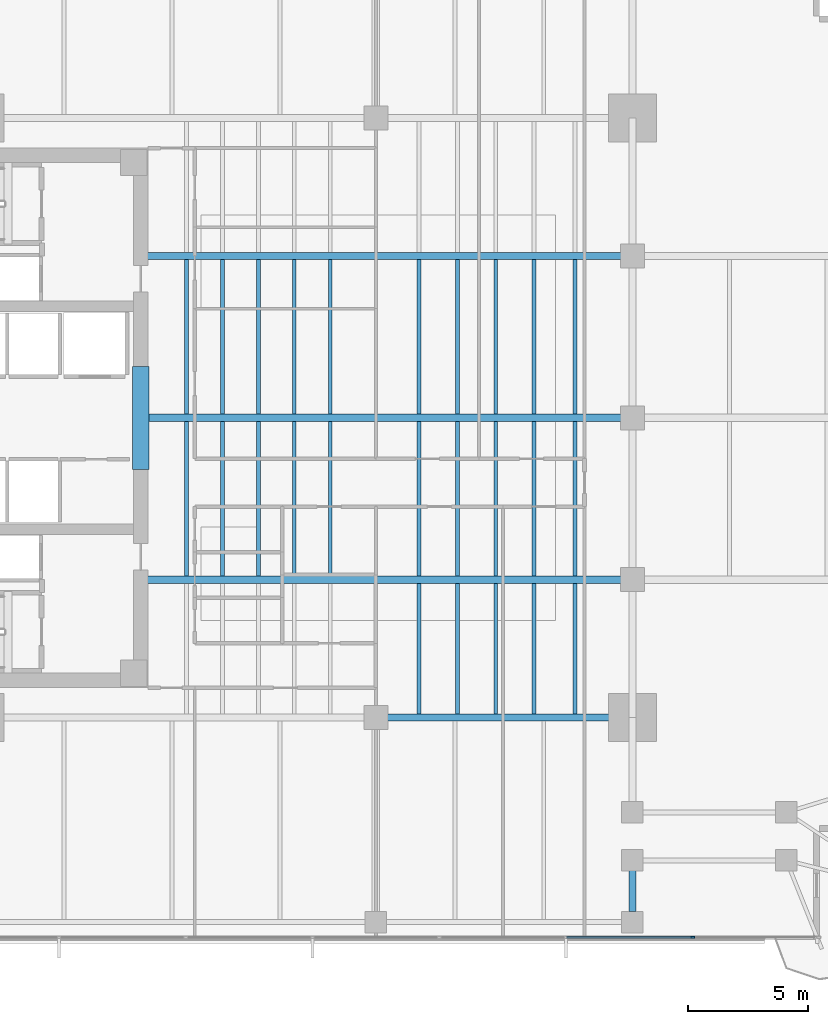
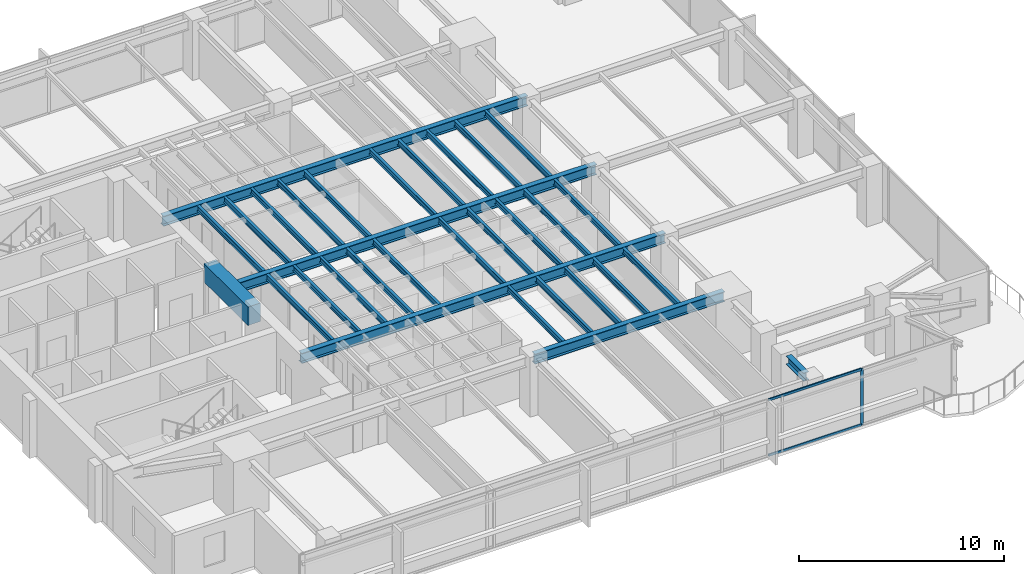
# One storey, part 3 of 14: 31 beams, 3 members, 1 element without a shape of its own.
"""IFC4 building model written with IfcOpenShell, lengths in metres."""

from ifc_helpers import new_model, si_unit, direction, frame, origin, origin_2d, place, context, subcontext, project, spatial, rectangle, i_section, extrude, material, layer, layer_set, material_profile, profile_set, type_object, element, aggregate, save


model = new_model("IFC4")

# Units and contexts
model_context = context("Model", 3, precision=1e-05, world=origin(), true_north=direction((0.0, 1.0)))
body_context = subcontext(model_context, "Body", "Model", "MODEL_VIEW")
ifc_project = project(units=[si_unit("LENGTHUNIT", "METRE"), si_unit("AREAUNIT", "SQUARE_METRE"), si_unit("VOLUMEUNIT", "CUBIC_METRE"), si_unit("PLANEANGLEUNIT", "RADIAN"), si_unit("MASSUNIT", "GRAM", prefix="KILO")], contexts=[model_context])

# Site, building, storey
site_placement = place(None, origin())
site = spatial("IfcSite", under=ifc_project, at=site_placement, CompositionType="ELEMENT")
building_placement = place(site_placement, origin())
building = spatial("IfcBuilding", under=site, at=building_placement, Name="Kinhvarn Gate Tower", CompositionType="ELEMENT")
storey_placement = place(building_placement, frame((0.0, 0.0, 127.10009765625)))
storey = spatial("IfcBuildingStorey", under=building, at=storey_placement, Name="L33", CompositionType="ELEMENT", Elevation=127.10009765625)

# Beam
ifc_material_1 = material(Name="Concrete C70/85", Category="concrete")
ifc_material_profile_1 = material_profile(ifc_material_1, rectangle(XDim=0.699951171875, YDim=1.10009765625, at=origin_2d()), Name="RC 700x1100")
ifc_profile_set_1 = profile_set([ifc_material_profile_1], Name="Concrete C70/85")
beam_type_1 = type_object("IfcBeamType", Name="BM-CB-1100", PredefinedType="LINTEL", material=ifc_profile_set_1)
beam_1_placement = place(storey_placement, frame((17.699951171875, 23.10009765625, 2.81982421875), z_axis=(0.0, 1.0, 0.0), x_axis=(-1.0, 0.0, 0.0)))
element("IfcBeam", 1, at=beam_1_placement, inside=storey, type_object=beam_type_1, Name="Core East Portal Coupling Beam L33", PredefinedType="LINTEL", context=body_context, shape_type="SweptSolid", body=[
    extrude(rectangle(XDim=0.699951171875, YDim=1.10009765625, at=origin_2d()), origin(), (0.0, 0.0, 1.0), 4.2998046875),
])

# Curtain wall, members
ifc_material_2 = material(Name="Anodised aluminium AW-6063", Category="aluminium")
ifc_layer = layer(ifc_material_2, 0.179931640625)
ifc_layer_set = layer_set([ifc_layer], Name="Anodised aluminium AW-6063")
curtain_wall_type = type_object("IfcCurtainWallType", Name="CW-SYS-3", PredefinedType="NOTDEFINED", material=ifc_layer_set)
curtain_wall_placement = place(storey_placement, origin())
curtain_wall = element("IfcCurtainWall", 2, at=curtain_wall_placement, inside=storey, type_object=curtain_wall_type, Name="Curtain Wall CW3 (L33)", PredefinedType="NOTDEFINED")
ifc_material_profile_2 = material_profile(ifc_material_2, rectangle(XDim=0.06494140625, YDim=0.159912109375, at=origin_2d()), Name="ALU 65x160")
ifc_profile_set_2 = profile_set([ifc_material_profile_2], Name="Anodised aluminium AW-6063")
member_type_1 = type_object("IfcMemberType", Name="CW-MUL-160", PredefinedType="MULLION", material=ifc_profile_set_2)
member_1_placement = place(storey_placement, frame((40.71435546875, 3.590087890625, 0.0), z_axis=(0.0, 0.0, 1.0), x_axis=(0.0, 1.0, 0.0)))
member_1 = element("IfcMember", 3, at=member_1_placement, type_object=member_type_1, Name="CW3 mullion 7", PredefinedType="MULLION", context=body_context, shape_type="SweptSolid", body=[
    extrude(rectangle(XDim=0.06494140625, YDim=0.159912109375, at=origin_2d()), origin(), (0.0, 0.0, 1.0), 3.369873046875),
])
ifc_material_profile_3 = material_profile(ifc_material_2, rectangle(XDim=0.070068359375, YDim=0.139892578125, at=origin_2d()), Name="ALU 70x140")
ifc_profile_set_3 = profile_set([ifc_material_profile_3], Name="Anodised aluminium AW-6063")
member_type_2 = type_object("IfcMemberType", Name="CW-TRN-140", PredefinedType="USERDEFINED", material=ifc_profile_set_3)
member_2_placement = place(storey_placement, frame((35.461181640625, 3.590087890625, 0.034912109375), z_axis=(1.0, 0.0, 0.0), x_axis=(0.0, 1.0, 0.0)))
member_2 = element("IfcMember", 4, at=member_2_placement, type_object=member_type_2, Name="CW3 transom 6.1", ObjectType="TRANSOM", PredefinedType="USERDEFINED", context=body_context, shape_type="SweptSolid", body=[
    extrude(rectangle(XDim=0.070068359375, YDim=0.139892578125, at=origin_2d()), origin(), (0.0, 0.0, 1.0), 5.220703125),
])
member_3_placement = place(storey_placement, frame((35.461181640625, 3.590087890625, 3.3349609375), z_axis=(1.0, 0.0, 0.0), x_axis=(0.0, 1.0, 0.0)))
member_3 = element("IfcMember", 5, at=member_3_placement, type_object=member_type_2, Name="CW3 transom 6.2", ObjectType="TRANSOM", PredefinedType="USERDEFINED", context=body_context, shape_type="SweptSolid", body=[
    extrude(rectangle(XDim=0.070068359375, YDim=0.139892578125, at=origin_2d()), origin(), (0.0, 0.0, 1.0), 5.220703125),
])
aggregate(curtain_wall, [member_1, member_2, member_3])

# Beams
ifc_material_3 = material(Name="Steel S355", Category="steel")
ifc_material_profile_4 = material_profile(ifc_material_3, i_section(OverallWidth=0.300048828125, OverallDepth=0.5, WebThickness=0.014404296875, FlangeThickness=0.028076171875, at=origin_2d()), Name="HEB 500")
ifc_profile_set_4 = profile_set([ifc_material_profile_4], Name="Steel S355")
beam_type_2 = type_object("IfcBeamType", Name="STL-HEB500", PredefinedType="BEAM", material=ifc_profile_set_4)
beam_2_placement = place(storey_placement, frame((38.199951171875, 4.655029296875, 3.119873046875), z_axis=(0.0, 1.0, 0.0), x_axis=(-1.0, 0.0, 0.0)))
element("IfcBeam", 6, at=beam_2_placement, inside=storey, type_object=beam_type_2, Name="Floor Beam PG-14 (L33 MCE-S-A0)", PredefinedType="BEAM", context=body_context, shape_type="SweptSolid", body=[
    extrude(i_section(OverallWidth=0.300048828125, OverallDepth=0.5, WebThickness=0.014404296875, FlangeThickness=0.028076171875, at=origin_2d()), origin(), (0.0, 0.0, 1.0), 1.7099609375),
])
ifc_material_profile_5 = material_profile(ifc_material_3, i_section(OverallWidth=0.300048828125, OverallDepth=0.60009765625, WebThickness=0.015380859375, FlangeThickness=0.030029296875, at=origin_2d()), Name="HEB 600")
ifc_profile_set_5 = profile_set([ifc_material_profile_5], Name="Steel S355")
beam_type_3 = type_object("IfcBeamType", Name="STL-HEB600", PredefinedType="BEAM", material=ifc_profile_set_5)
beam_3_placement = place(storey_placement, frame((27.5, 12.75, 3.06982421875), z_axis=(1.0, 0.0, 0.0), x_axis=(0.0, 1.0, 0.0)))
element("IfcBeam", 7, at=beam_3_placement, inside=storey, type_object=beam_type_3, Name="Floor Beam PG-16 (L33 MG-S2)", PredefinedType="BEAM", context=body_context, shape_type="SweptSolid", body=[
    extrude(i_section(OverallWidth=0.300048828125, OverallDepth=0.60009765625, WebThickness=0.015380859375, FlangeThickness=0.030029296875, at=origin_2d()), origin(), (0.0, 0.0, 1.0), 10.699951171875),
])
beam_4_placement = place(storey_placement, frame((17.64990234375, 18.5, 3.06982421875), z_axis=(1.0, 0.0, 0.0), x_axis=(0.0, 1.0, 0.0)))
element("IfcBeam", 8, at=beam_4_placement, inside=storey, type_object=beam_type_3, Name="Floor Beam PG-16 (L33 EW1-Y18)", PredefinedType="BEAM", context=body_context, shape_type="SweptSolid", body=[
    extrude(i_section(OverallWidth=0.300048828125, OverallDepth=0.60009765625, WebThickness=0.015380859375, FlangeThickness=0.030029296875, at=origin_2d()), origin(), (0.0, 0.0, 1.0), 20.550048828125),
])
beam_5_placement = place(storey_placement, frame((18.050048828125, 25.25, 3.06982421875), z_axis=(1.0, 0.0, 0.0), x_axis=(0.0, 1.0, 0.0)))
element("IfcBeam", 9, at=beam_5_placement, inside=storey, type_object=beam_type_3, Name="Floor Beam PG-16 (L33 EW1-Y25)", PredefinedType="BEAM", context=body_context, shape_type="SweptSolid", body=[
    extrude(i_section(OverallWidth=0.300048828125, OverallDepth=0.60009765625, WebThickness=0.015380859375, FlangeThickness=0.030029296875, at=origin_2d()), origin(), (0.0, 0.0, 1.0), 20.14990234375),
])
beam_6_placement = place(storey_placement, frame((17.64990234375, 32.0, 3.06982421875), z_axis=(1.0, 0.0, 0.0), x_axis=(0.0, 1.0, 0.0)))
element("IfcBeam", 10, at=beam_6_placement, inside=storey, type_object=beam_type_3, Name="Floor Beam PG-16 (L33 EW1-Y32)", PredefinedType="BEAM", context=body_context, shape_type="SweptSolid", body=[
    extrude(i_section(OverallWidth=0.300048828125, OverallDepth=0.60009765625, WebThickness=0.015380859375, FlangeThickness=0.030029296875, at=origin_2d()), origin(), (0.0, 0.0, 1.0), 20.550048828125),
])
ifc_material_profile_6 = material_profile(ifc_material_3, i_section(OverallWidth=0.159912109375, OverallDepth=0.330078125, WebThickness=0.007568359375, FlangeThickness=0.011474609375, at=origin_2d()), Name="IPE 330")
ifc_profile_set_6 = profile_set([ifc_material_profile_6], Name="Steel S355")
beam_type_4 = type_object("IfcBeamType", Name="STL-IPE330", PredefinedType="JOIST", material=ifc_profile_set_6)
for number, where, z_axis, x_axis, name in (
    (11, (19.60009765625, 18.64990234375, 3.204833984375), (0.0, 1.0, 0.0), (-1.0, 0.0, 0.0), "Floor Joist SB-03 (L33 JC-X196-1)"),
    (12, (19.60009765625, 25.39990234375, 3.204833984375), (0.0, 1.0, 0.0), (-1.0, 0.0, 0.0), "Floor Joist SB-03 (L33 JC-X196-2)"),
    (13, (21.10009765625, 18.64990234375, 3.204833984375), (0.0, 1.0, 0.0), (-1.0, 0.0, 0.0), "Floor Joist SB-03 (L33 JC-X211-1)"),
    (14, (21.10009765625, 25.39990234375, 3.204833984375), (0.0, 1.0, 0.0), (-1.0, 0.0, 0.0), "Floor Joist SB-03 (L33 JC-X211-2)"),
    (15, (22.60009765625, 18.64990234375, 3.204833984375), (0.0, 1.0, 0.0), (-1.0, 0.0, 0.0), "Floor Joist SB-03 (L33 JC-X226-1)"),
    (16, (22.60009765625, 25.39990234375, 3.204833984375), (0.0, 1.0, 0.0), (-1.0, 0.0, 0.0), "Floor Joist SB-03 (L33 JC-X226-2)"),
    (17, (24.10009765625, 18.64990234375, 3.204833984375), (0.0, 1.0, 0.0), (-1.0, 0.0, 0.0), "Floor Joist SB-03 (L33 JC-X241-1)"),
    (18, (24.10009765625, 25.39990234375, 3.204833984375), (0.0, 1.0, 0.0), (-1.0, 0.0, 0.0), "Floor Joist SB-03 (L33 JC-X241-2)"),
    (19, (25.60009765625, 18.64990234375, 3.204833984375), (0.0, 1.0, 0.0), (-1.0, 0.0, 0.0), "Floor Joist SB-03 (L33 JC-X256-1)"),
    (20, (25.60009765625, 25.39990234375, 3.204833984375), (0.0, 1.0, 0.0), (-1.0, 0.0, 0.0), "Floor Joist SB-03 (L33 JC-X256-2)"),
):
    element("IfcBeam", number, at=place(storey_placement, frame(where, z_axis=z_axis, x_axis=x_axis)), inside=storey, type_object=beam_type_4, Name=name, PredefinedType="JOIST", context=body_context, shape_type="SweptSolid", body=[
        extrude(i_section(OverallWidth=0.159912109375, OverallDepth=0.330078125, WebThickness=0.007568359375, FlangeThickness=0.011474609375, at=origin_2d()), origin(), (0.0, 0.0, 1.0), 6.4501953125),
    ])
beam_7_placement = place(storey_placement, frame((29.300048828125, 12.89990234375, 3.204833984375), z_axis=(0.0, 1.0, 0.0), x_axis=(-1.0, 0.0, 0.0)))
element("IfcBeam", 21, at=beam_7_placement, inside=storey, type_object=beam_type_4, Name="Floor Joist SB-03 (L33 JC-X293-0)", PredefinedType="JOIST", context=body_context, shape_type="SweptSolid", body=[
    extrude(i_section(OverallWidth=0.159912109375, OverallDepth=0.330078125, WebThickness=0.007568359375, FlangeThickness=0.011474609375, at=origin_2d()), origin(), (0.0, 0.0, 1.0), 5.4501953125),
])
for number, where, z_axis, x_axis, name in (
    (22, (29.300048828125, 18.64990234375, 3.204833984375), (0.0, 1.0, 0.0), (-1.0, 0.0, 0.0), "Floor Joist SB-03 (L33 JC-X293-1)"),
    (23, (29.300048828125, 25.39990234375, 3.204833984375), (0.0, 1.0, 0.0), (-1.0, 0.0, 0.0), "Floor Joist SB-03 (L33 JC-X293-2)"),
):
    element("IfcBeam", number, at=place(storey_placement, frame(where, z_axis=z_axis, x_axis=x_axis)), inside=storey, type_object=beam_type_4, Name=name, PredefinedType="JOIST", context=body_context, shape_type="SweptSolid", body=[
        extrude(i_section(OverallWidth=0.159912109375, OverallDepth=0.330078125, WebThickness=0.007568359375, FlangeThickness=0.011474609375, at=origin_2d()), origin(), (0.0, 0.0, 1.0), 6.4501953125),
    ])
beam_8_placement = place(storey_placement, frame((30.89990234375, 12.89990234375, 3.204833984375), z_axis=(0.0, 1.0, 0.0), x_axis=(-1.0, 0.0, 0.0)))
element("IfcBeam", 24, at=beam_8_placement, inside=storey, type_object=beam_type_4, Name="Floor Joist SB-03 (L33 JC-X309-0)", PredefinedType="JOIST", context=body_context, shape_type="SweptSolid", body=[
    extrude(i_section(OverallWidth=0.159912109375, OverallDepth=0.330078125, WebThickness=0.007568359375, FlangeThickness=0.011474609375, at=origin_2d()), origin(), (0.0, 0.0, 1.0), 5.4501953125),
])
for number, where, z_axis, x_axis, name in (
    (25, (30.89990234375, 18.64990234375, 3.204833984375), (0.0, 1.0, 0.0), (-1.0, 0.0, 0.0), "Floor Joist SB-03 (L33 JC-X309-1)"),
    (26, (30.89990234375, 25.39990234375, 3.204833984375), (0.0, 1.0, 0.0), (-1.0, 0.0, 0.0), "Floor Joist SB-03 (L33 JC-X309-2)"),
):
    element("IfcBeam", number, at=place(storey_placement, frame(where, z_axis=z_axis, x_axis=x_axis)), inside=storey, type_object=beam_type_4, Name=name, PredefinedType="JOIST", context=body_context, shape_type="SweptSolid", body=[
        extrude(i_section(OverallWidth=0.159912109375, OverallDepth=0.330078125, WebThickness=0.007568359375, FlangeThickness=0.011474609375, at=origin_2d()), origin(), (0.0, 0.0, 1.0), 6.4501953125),
    ])
beam_9_placement = place(storey_placement, frame((32.5, 12.89990234375, 3.204833984375), z_axis=(0.0, 1.0, 0.0), x_axis=(-1.0, 0.0, 0.0)))
element("IfcBeam", 27, at=beam_9_placement, inside=storey, type_object=beam_type_4, Name="Floor Joist SB-03 (L33 JC-X325-0)", PredefinedType="JOIST", context=body_context, shape_type="SweptSolid", body=[
    extrude(i_section(OverallWidth=0.159912109375, OverallDepth=0.330078125, WebThickness=0.007568359375, FlangeThickness=0.011474609375, at=origin_2d()), origin(), (0.0, 0.0, 1.0), 5.4501953125),
])
for number, where, z_axis, x_axis, name in (
    (28, (32.5, 18.64990234375, 3.204833984375), (0.0, 1.0, 0.0), (-1.0, 0.0, 0.0), "Floor Joist SB-03 (L33 JC-X325-1)"),
    (29, (32.5, 25.39990234375, 3.204833984375), (0.0, 1.0, 0.0), (-1.0, 0.0, 0.0), "Floor Joist SB-03 (L33 JC-X325-2)"),
):
    element("IfcBeam", number, at=place(storey_placement, frame(where, z_axis=z_axis, x_axis=x_axis)), inside=storey, type_object=beam_type_4, Name=name, PredefinedType="JOIST", context=body_context, shape_type="SweptSolid", body=[
        extrude(i_section(OverallWidth=0.159912109375, OverallDepth=0.330078125, WebThickness=0.007568359375, FlangeThickness=0.011474609375, at=origin_2d()), origin(), (0.0, 0.0, 1.0), 6.4501953125),
    ])
beam_10_placement = place(storey_placement, frame((34.10009765625, 12.89990234375, 3.204833984375), z_axis=(0.0, 1.0, 0.0), x_axis=(-1.0, 0.0, 0.0)))
element("IfcBeam", 30, at=beam_10_placement, inside=storey, type_object=beam_type_4, Name="Floor Joist SB-03 (L33 JC-X341-0)", PredefinedType="JOIST", context=body_context, shape_type="SweptSolid", body=[
    extrude(i_section(OverallWidth=0.159912109375, OverallDepth=0.330078125, WebThickness=0.007568359375, FlangeThickness=0.011474609375, at=origin_2d()), origin(), (0.0, 0.0, 1.0), 5.4501953125),
])
for number, where, z_axis, x_axis, name in (
    (31, (34.10009765625, 18.64990234375, 3.204833984375), (0.0, 1.0, 0.0), (-1.0, 0.0, 0.0), "Floor Joist SB-03 (L33 JC-X341-1)"),
    (32, (34.10009765625, 25.39990234375, 3.204833984375), (0.0, 1.0, 0.0), (-1.0, 0.0, 0.0), "Floor Joist SB-03 (L33 JC-X341-2)"),
):
    element("IfcBeam", number, at=place(storey_placement, frame(where, z_axis=z_axis, x_axis=x_axis)), inside=storey, type_object=beam_type_4, Name=name, PredefinedType="JOIST", context=body_context, shape_type="SweptSolid", body=[
        extrude(i_section(OverallWidth=0.159912109375, OverallDepth=0.330078125, WebThickness=0.007568359375, FlangeThickness=0.011474609375, at=origin_2d()), origin(), (0.0, 0.0, 1.0), 6.4501953125),
    ])
beam_11_placement = place(storey_placement, frame((35.800048828125, 12.89990234375, 3.204833984375), z_axis=(0.0, 1.0, 0.0), x_axis=(-1.0, 0.0, 0.0)))
element("IfcBeam", 33, at=beam_11_placement, inside=storey, type_object=beam_type_4, Name="Floor Joist SB-03 (L33 JC-X358-0)", PredefinedType="JOIST", context=body_context, shape_type="SweptSolid", body=[
    extrude(i_section(OverallWidth=0.159912109375, OverallDepth=0.330078125, WebThickness=0.007568359375, FlangeThickness=0.011474609375, at=origin_2d()), origin(), (0.0, 0.0, 1.0), 5.4501953125),
])
for number, where, z_axis, x_axis, name in (
    (34, (35.800048828125, 18.64990234375, 3.204833984375), (0.0, 1.0, 0.0), (-1.0, 0.0, 0.0), "Floor Joist SB-03 (L33 JC-X358-1)"),
    (35, (35.800048828125, 25.39990234375, 3.204833984375), (0.0, 1.0, 0.0), (-1.0, 0.0, 0.0), "Floor Joist SB-03 (L33 JC-X358-2)"),
):
    element("IfcBeam", number, at=place(storey_placement, frame(where, z_axis=z_axis, x_axis=x_axis)), inside=storey, type_object=beam_type_4, Name=name, PredefinedType="JOIST", context=body_context, shape_type="SweptSolid", body=[
        extrude(i_section(OverallWidth=0.159912109375, OverallDepth=0.330078125, WebThickness=0.007568359375, FlangeThickness=0.011474609375, at=origin_2d()), origin(), (0.0, 0.0, 1.0), 6.4501953125),
    ])

save(model, "model.ifc")
